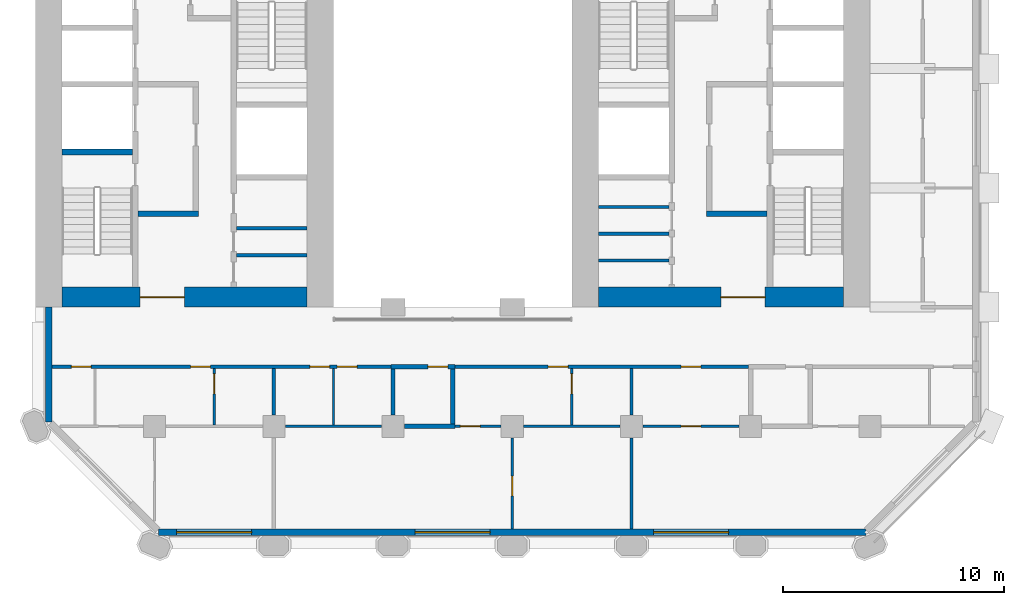
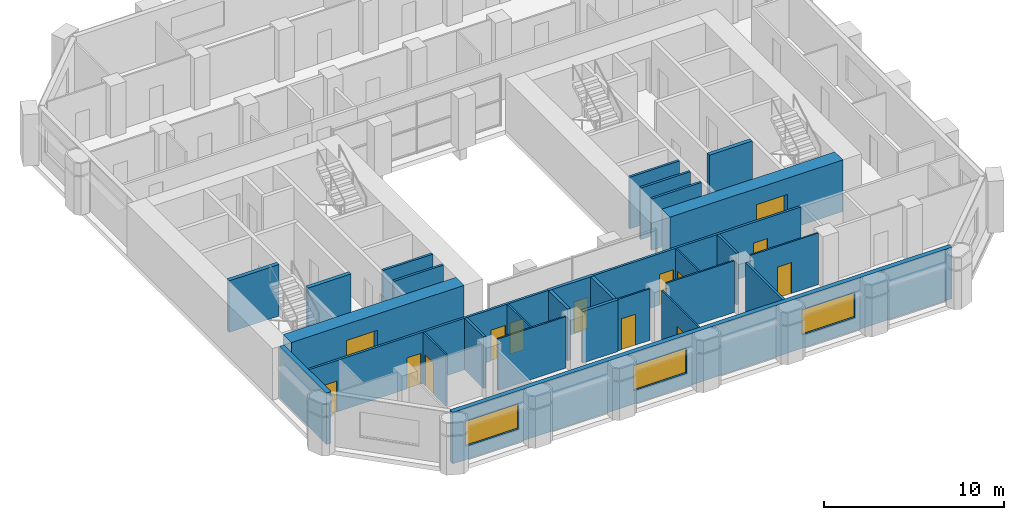
# One storey, part 4 of 11: 29 walls, 14 doors, 3 windows, 17 openings.
"""IFC4 building model written with IfcOpenShell, lengths in metres."""

import ifcopenshell
import ifcopenshell.guid

model = None  # the IFC model being written
_history = None  # IfcOwnerHistory: only IFC2X3 demands one
_inside = {}  # id of a spatial element -> (the spatial element, [elements in it])
_under = {}  # id of a project, library or spatial element -> (it, [spatial elements below it])
_declared = {}  # id of a project -> (the project, [libraries it declares])
_typed = {}  # id of a type object -> (the type object, [elements of that type])
_made_of = {}  # id of a material, layer set ... -> (it, [elements and type objects made of it])


def new_model(schema):
    """Start an empty IFC model of exactly this schema.

    Asked for "IFC4X3", IfcOpenShell would pick the latest addendum, in which some entities
    have other attributes; the version numbers below select the first issue.
    IFC2X3 requires an IfcOwnerHistory on every rooted entity: one is made here for all.
    """
    global model, _history
    if schema == "IFC4X3":
        model = ifcopenshell.file(schema_version=(4, 3, 0, 0))
    else:
        model = ifcopenshell.file(schema=schema)
    _inside.clear()
    _under.clear()
    _declared.clear()
    _typed.clear()
    _made_of.clear()
    _history = None
    if model.schema == "IFC2X3":
        org = make("IfcOrganization", Name="unknown")
        user = make(
            "IfcPersonAndOrganization",
            ThePerson=make("IfcPerson", FamilyName="unknown"),
            TheOrganization=org,
        )
        app = make(
            "IfcApplication",
            ApplicationDeveloper=org,
            Version="unknown",
            ApplicationFullName="unknown",
            ApplicationIdentifier="unknown",
        )
        _history = make(
            "IfcOwnerHistory",
            OwningUser=user,
            OwningApplication=app,
            ChangeAction="ADDED",
            CreationDate=0,
        )
    return model


def make(cls, **values):
    """One entity of the class cls with the attributes given. An attribute that is None is left unset."""
    return model.create_entity(
        cls, **{name: value for name, value in values.items() if value is not None}
    )


def rooted(cls, **values):
    """An entity with a GlobalId (a new one), such as an element, a storey or a relation."""
    return make(cls, GlobalId=ifcopenshell.guid.new(), OwnerHistory=_history, **values)


def si_unit(unit_type, name, prefix=None):
    """IfcSIUnit, for example si_unit("LENGTHUNIT", "METRE", prefix="MILLI")."""
    return make("IfcSIUnit", UnitType=unit_type, Prefix=prefix, Name=name)


def assignment(units):
    """IfcUnitAssignment: the units of a project."""
    return None if units is None else make("IfcUnitAssignment", Units=units)


def point(xyz):
    """IfcCartesianPoint."""
    return None if xyz is None else make("IfcCartesianPoint", Coordinates=xyz)


def direction(xyz):
    """IfcDirection."""
    return None if xyz is None else make("IfcDirection", DirectionRatios=xyz)


def frame(location, z_axis=None, x_axis=None):
    """IfcAxis2Placement3D, a coordinate frame: its origin and axes. An axis left out is left unset."""
    return make(
        "IfcAxis2Placement3D",
        Location=point(location),
        Axis=direction(z_axis),
        RefDirection=direction(x_axis),
    )


def frame_2d(location, x_axis=None):
    """IfcAxis2Placement2D, a coordinate frame in the plane: its origin and x axis."""
    return make(
        "IfcAxis2Placement2D", Location=point(location), RefDirection=direction(x_axis)
    )


def origin():
    """The frame at (0, 0, 0) with its axes left unset."""
    return frame((0.0, 0.0, 0.0))


def place(relative_to, where):
    """IfcLocalPlacement: puts the frame where relative to a parent placement (None: the world)."""
    return make(
        "IfcLocalPlacement", PlacementRelTo=relative_to, RelativePlacement=where
    )


def context(
    kind, dimensions, precision=None, world=None, true_north=None, identifier=None
):
    """IfcGeometricRepresentationContext, for example the 3D "Model" context."""
    return make(
        "IfcGeometricRepresentationContext",
        ContextIdentifier=identifier,
        ContextType=kind,
        CoordinateSpaceDimension=dimensions,
        Precision=precision,
        WorldCoordinateSystem=world,
        TrueNorth=true_north,
    )


def subcontext(parent, identifier, kind, view, scale=None):
    """IfcGeometricRepresentationSubContext, for example "Body" below "Model"."""
    return make(
        "IfcGeometricRepresentationSubContext",
        ContextIdentifier=identifier,
        ContextType=kind,
        ParentContext=parent,
        TargetScale=scale,
        TargetView=view,
    )


def project(units=None, contexts=None):
    """IfcProject with its units and contexts."""
    return rooted(
        "IfcProject",
        Name="project",
        RepresentationContexts=contexts,
        UnitsInContext=assignment(units),
    )


def spatial(cls, under=None, at=None, **own):
    """A site, building, storey or space (cls), placed at a placement, below another one or the project."""
    s = rooted(cls, ObjectPlacement=at, **own)
    if under is not None:
        _under.setdefault(under.id(), (under, []))[1].append(s)
    return s


def profile(cls, at=None, kind="AREA", **sizes):
    """A parametric profile (cls). Its sizes go by their IFC names, for example OverallWidth=200.0."""
    return make(cls, ProfileType=kind, Position=at, **sizes)


def rectangle(**sizes):
    """IfcRectangleProfileDef."""
    return profile("IfcRectangleProfileDef", **sizes)


def extrude(swept, where, along, depth):
    """IfcExtrudedAreaSolid: the profile swept, set in the frame where, extruded along a direction by depth."""
    return make(
        "IfcExtrudedAreaSolid",
        SweptArea=swept,
        Position=where,
        ExtrudedDirection=direction(along),
        Depth=depth,
    )


def shape(context_of_items, identifier, shape_type, items):
    """IfcShapeRepresentation: the items that make up one representation, for example the "Body"."""
    return make(
        "IfcShapeRepresentation",
        ContextOfItems=context_of_items,
        RepresentationIdentifier=identifier,
        RepresentationType=shape_type,
        Items=items,
    )


def material(Name=None, Category=None):
    """IfcMaterial."""
    return make("IfcMaterial", Name=Name, Category=Category)


def layer(
    of_material, thickness, ventilated=None, Name=None, Category=None, Priority=None
):
    """IfcMaterialLayer: one layer of a wall or slab, of a material (None: an air gap)."""
    return make(
        "IfcMaterialLayer",
        Material=of_material,
        LayerThickness=thickness,
        IsVentilated=ventilated,
        Name=Name,
        Category=Category,
        Priority=Priority,
    )


def layer_set(layers, Name=None):
    """IfcMaterialLayerSet."""
    return make("IfcMaterialLayerSet", MaterialLayers=layers, LayerSetName=Name)


def made_of(thing, what):
    """Note that an element or type object is made of a material, layer set ...; save() writes the relation."""
    if what is not None:
        _made_of.setdefault(what.id(), (what, []))[1].append(thing)
    return thing


def type_object(cls, material=None, **own):
    """A type object (cls), such as IfcWallType, which elements share."""
    return made_of(rooted(cls, **own), material)


def element(
    cls,
    number,
    at=None,
    inside=None,
    cuts=None,
    type_object=None,
    material=None,
    context=None,
    identifier="Body",
    shape_type=None,
    held_by="IfcProductDefinitionShape",
    body=None,
    shapes=None,
    **own,
):
    """One element of the class cls, such as IfcWall. Its Tag is "e" and its number.

    at: its placement. inside: the storey or other place that contains it. cuts: it is an
    opening in that element (IfcRelVoidsElement). A single representation is given by context,
    identifier, shape_type and body (its items); several are given by shapes. held_by: the class
    of the entity that holds the representations. save() writes the other relations.
    """
    e = rooted(cls, Tag="e%d" % number, ObjectPlacement=at, **own)
    if body is not None:
        shapes = [shape(context, identifier, shape_type, body)]
    if shapes is not None:
        e.Representation = make(held_by, Representations=shapes)
    if inside is not None:
        _inside.setdefault(inside.id(), (inside, []))[1].append(e)
    if cuts is not None:
        rooted(
            "IfcRelVoidsElement", RelatingBuildingElement=cuts, RelatedOpeningElement=e
        )
    if type_object is not None:
        _typed.setdefault(type_object.id(), (type_object, []))[1].append(e)
    return made_of(e, material)


def fill(opening, filler):
    """IfcRelFillsElement: the door or window that sits in an opening."""
    return rooted(
        "IfcRelFillsElement",
        RelatingOpeningElement=opening,
        RelatedBuildingElement=filler,
    )


def aggregate(whole, parts):
    """IfcRelAggregates: a whole, such as a stair, and the parts it consists of."""
    return rooted("IfcRelAggregates", RelatingObject=whole, RelatedObjects=parts)


def save(model, path):
    """Write the relations noted so far, then the file.

    IfcRelAggregates (storeys below a building ...), IfcRelContainedInSpatialStructure (elements
    in a storey), IfcRelDefinesByType, IfcRelAssociatesMaterial and IfcRelDeclares: one each for
    every whole, place, type object, material and project.
    """
    for whole, parts in _under.values():
        aggregate(whole, parts)
    for where, things in _inside.values():
        rooted(
            "IfcRelContainedInSpatialStructure",
            RelatedElements=things,
            RelatingStructure=where,
        )
    for kind, things in _typed.values():
        rooted("IfcRelDefinesByType", RelatedObjects=things, RelatingType=kind)
    for what, things in _made_of.values():
        rooted("IfcRelAssociatesMaterial", RelatedObjects=things, RelatingMaterial=what)
    for by, libraries in _declared.values():
        rooted("IfcRelDeclares", RelatingContext=by, RelatedDefinitions=libraries)
    model.write(path)


model = new_model("IFC4")

# Units and contexts
model_context = context("Model", 3, precision=1e-05, world=origin(), true_north=direction((0.0, 1.0)))
body_context = subcontext(model_context, "Body", "Model", "MODEL_VIEW")
ifc_project = project(units=[si_unit("LENGTHUNIT", "METRE"), si_unit("AREAUNIT", "SQUARE_METRE"), si_unit("VOLUMEUNIT", "CUBIC_METRE"), si_unit("PLANEANGLEUNIT", "RADIAN"), si_unit("MASSUNIT", "GRAM", prefix="KILO")], contexts=[model_context])

# Site, building, storey
site_placement = place(None, origin())
site = spatial("IfcSite", under=ifc_project, at=site_placement, CompositionType="ELEMENT")
building_placement = place(site_placement, origin())
building = spatial("IfcBuilding", under=site, at=building_placement, Name="Tabaq Tower and Sports Hall", CompositionType="ELEMENT")
storey_placement = place(building_placement, frame((0.0, 0.0, 72.60009765625)))
storey = spatial("IfcBuildingStorey", under=building, at=storey_placement, Name="L16", CompositionType="ELEMENT", Elevation=72.60009765625)

# Walls
ifc_material_1 = material(Name="Blockwork", Category="masonry")
ifc_layer_1 = layer(ifc_material_1, 0.14990234375)
ifc_layer_set_1 = layer_set([ifc_layer_1], Name="Core room partition 150 Blockwork")
wall_type_1 = type_object("IfcWallType", Name="Core room partition 150 Blockwork", PredefinedType="PARTITIONING", material=ifc_layer_set_1)
for number, where, z_axis, x_axis, name in (
    (1, (14.5, 18.554931640625, 0.0), (0.0, 0.0, 1.0), (1.0, 0.0, 0.0), "Core room partition W L16"),
    (2, (14.5, 19.76708984375, 0.0), (0.0, 0.0, 1.0), (1.0, 0.0, 0.0), "Core room partition W L16"),
):
    element("IfcWall", number, at=place(storey_placement, frame(where, z_axis=z_axis, x_axis=x_axis)), inside=storey, type_object=wall_type_1, Name=name, PredefinedType="PARTITIONING", context=body_context, shape_type="SweptSolid", body=[
        extrude(rectangle(XDim=3.199951171875, YDim=0.14990234375, at=frame_2d((1.60009765625, 0.0))), origin(), (0.0, 0.0, 1.0), 3.5),
    ])
for number, where, z_axis, x_axis, name in (
    (3, (30.89990234375, 18.31201171875, 0.0), (0.0, 0.0, 1.0), (1.0, 0.0, 0.0), "Core room partition E L16"),
    (4, (30.89990234375, 19.52490234375, 0.0), (0.0, 0.0, 1.0), (1.0, 0.0, 0.0), "Core room partition E L16"),
    (5, (30.89990234375, 20.737060546875, 0.0), (0.0, 0.0, 1.0), (1.0, 0.0, 0.0), "Core room partition E L16"),
):
    element("IfcWall", number, at=place(storey_placement, frame(where, z_axis=z_axis, x_axis=x_axis)), inside=storey, type_object=wall_type_1, Name=name, PredefinedType="PARTITIONING", context=body_context, shape_type="SweptSolid", body=[
        extrude(rectangle(XDim=3.2001953125, YDim=0.14990234375, at=frame_2d((1.60009765625, 0.0))), origin(), (0.0, 0.0, 1.0), 3.5),
    ])

# Wall, opening, door
ifc_material_2 = material(Name="Concrete C60/75", Category="concrete")
ifc_layer_2 = layer(ifc_material_2, 0.89990234375)
ifc_layer_set_2 = layer_set([ifc_layer_2], Name="Core wall 900 Concrete C60/75")
wall_type_2 = type_object("IfcWallType", Name="Core wall 900 Concrete C60/75", PredefinedType="SOLIDWALL", material=ifc_layer_set_2)
wall_1_placement = place(storey_placement, frame((17.699951171875, 16.64990234375, 0.0), z_axis=(0.0, 0.0, 1.0), x_axis=(-1.0, 0.0, 0.0)))
wall_1 = element("IfcWall", 6, at=wall_1_placement, inside=storey, type_object=wall_type_2, Name="Core wall W L16", PredefinedType="SOLIDWALL", context=body_context, shape_type="SweptSolid", body=[
    extrude(rectangle(XDim=11.099853515625, YDim=0.89990234375, at=frame_2d((5.5498046875, 0.0))), origin(), (0.0, 0.0, 1.0), 3.5),
])
opening_1_placement = place(wall_1_placement, frame((5.550048828125, 0.0, 0.0)))
opening_1 = element("IfcOpeningElement", 7, at=opening_1_placement, cuts=wall_1, Name="Opening PD-WL16-01", PredefinedType="OPENING", context=body_context, shape_type="SweptSolid", body=[
    extrude(rectangle(XDim=2.0, YDim=2.39990234375, at=frame_2d((1.0, 1.199951171875))), frame((0.0, 0.449951171875, 0.0), z_axis=(0.0, -1.0, 0.0), x_axis=(1.0, 0.0, 0.0)), (0.0, 0.0, 1.0), 0.89990234375),
])
ifc_material_3 = material(Name="Steel fire door", Category="steel")
door_type_1 = type_object("IfcDoorType", Name="Core entrance door 2000", OperationType="DOUBLE_DOOR_SINGLE_SWING", PredefinedType="DOOR", material=ifc_material_3)
door_1_placement = place(opening_1_placement, origin())
door_1 = element("IfcDoor", 8, at=door_1_placement, inside=storey, type_object=door_type_1, Name="Core entrance south W L16", OperationType="DOUBLE_DOOR_SINGLE_SWING", OverallHeight=2.39990234375, OverallWidth=2.0, PredefinedType="DOOR", context=body_context, shape_type="SweptSolid", body=[
    extrude(rectangle(XDim=2.0, YDim=2.39990234375, at=frame_2d((1.0, 1.199951171875))), frame((0.0, 0.02490234375, 0.0), z_axis=(0.0, -1.0, 0.0), x_axis=(1.0, 0.0, 0.0)), (0.0, 0.0, 1.0), 0.050048828125),
])
fill(opening_1, door_1)

wall_2_placement = place(storey_placement, frame((42.0, 16.64990234375, 0.0), z_axis=(0.0, 0.0, 1.0), x_axis=(-1.0, 0.0, 0.0)))
wall_2 = element("IfcWall", 9, at=wall_2_placement, inside=storey, type_object=wall_type_2, Name="Core wall E L16", PredefinedType="SOLIDWALL", context=body_context, shape_type="SweptSolid", body=[
    extrude(rectangle(XDim=11.10009765625, YDim=0.89990234375, at=frame_2d((5.550048828125, 0.0))), origin(), (0.0, 0.0, 1.0), 3.5),
])
opening_2_placement = place(wall_2_placement, frame((3.550048828125, 0.0, 0.0)))
opening_2 = element("IfcOpeningElement", 10, at=opening_2_placement, cuts=wall_2, Name="Opening PD-EL16-01", PredefinedType="OPENING", context=body_context, shape_type="SweptSolid", body=[
    extrude(rectangle(XDim=2.0, YDim=2.39990234375, at=frame_2d((1.0, 1.199951171875))), frame((0.0, 0.449951171875, 0.0), z_axis=(0.0, -1.0, 0.0), x_axis=(1.0, 0.0, 0.0)), (0.0, 0.0, 1.0), 0.89990234375),
])
door_2_placement = place(opening_2_placement, origin())
door_2 = element("IfcDoor", 11, at=door_2_placement, inside=storey, type_object=door_type_1, Name="Core entrance south E L16", OperationType="DOUBLE_DOOR_SINGLE_SWING", OverallHeight=2.39990234375, OverallWidth=2.0, PredefinedType="DOOR", context=body_context, shape_type="SweptSolid", body=[
    extrude(rectangle(XDim=2.0, YDim=2.39990234375, at=frame_2d((1.0, 1.199951171875))), frame((0.0, 0.02490234375, 0.0), z_axis=(0.0, -1.0, 0.0), x_axis=(1.0, 0.0, 0.0)), (0.0, 0.0, 1.0), 0.050048828125),
])
fill(opening_2, door_2)

ifc_material_4 = material(Name="Blockwork", Category="masonry")
ifc_layer_3 = layer(ifc_material_4, 0.199951171875)
ifc_layer_set_3 = layer_set([ifc_layer_3], Name="Fire compartment wall 200 Blockwork")
wall_type_3 = type_object("IfcWallType", Name="Fire compartment wall 200 Blockwork", PredefinedType="PARTITIONING", material=ifc_layer_set_3)
wall_3_placement = place(storey_placement, frame((21.5, 13.5, 0.0), z_axis=(0.0, 0.0, 1.0), x_axis=(1.0, 0.0, 0.0)))
wall_3 = element("IfcWall", 12, at=wall_3_placement, inside=storey, type_object=wall_type_3, Name="Compartment wall L16", PredefinedType="PARTITIONING", context=body_context, shape_type="SweptSolid", body=[
    extrude(rectangle(XDim=2.89990234375, YDim=0.199951171875, at=frame_2d((1.449951171875, 0.0))), origin(), (0.0, 0.0, 1.0), 3.5),
])
opening_3_placement = place(wall_3_placement, frame((1.679931640625, 0.0, 0.0)))
opening_3 = element("IfcOpeningElement", 13, at=opening_3_placement, cuts=wall_3, Name="Opening L16-007", PredefinedType="OPENING", context=body_context, shape_type="SweptSolid", body=[
    extrude(rectangle(XDim=0.89990234375, YDim=2.10009765625, at=frame_2d((0.449951171875, 1.050048828125))), frame((0.0, 0.10009765625, 0.0), z_axis=(0.0, -1.0, 0.0), x_axis=(1.0, 0.0, 0.0)), (0.0, 0.0, 1.0), 0.199951171875),
])
ifc_material_5 = material(Name="Steel fire door", Category="steel")
door_type_2 = type_object("IfcDoorType", Name="Plant room door 900 left hand", OperationType="SINGLE_SWING_LEFT", PredefinedType="DOOR", material=ifc_material_5)
door_3_placement = place(opening_3_placement, origin())
door_3 = element("IfcDoor", 14, at=door_3_placement, inside=storey, type_object=door_type_2, Name="Plant room door L16-007", OperationType="SINGLE_SWING_LEFT", OverallHeight=2.10009765625, OverallWidth=0.89990234375, PredefinedType="DOOR", context=body_context, shape_type="SweptSolid", body=[
    extrude(rectangle(XDim=0.89990234375, YDim=2.10009765625, at=frame_2d((0.449951171875, 1.050048828125))), frame((0.0, 0.02490234375, 0.0), z_axis=(0.0, -1.0, 0.0), x_axis=(1.0, 0.0, 0.0)), (0.0, 0.0, 1.0), 0.050048828125),
])
fill(opening_3, door_3)

# Walls
wall_4_placement = place(storey_placement, frame((21.60009765625, 11.320068359375, 0.0), z_axis=(0.0, 0.0, 1.0), x_axis=(0.0, 1.0, 0.0)))
element("IfcWall", 15, at=wall_4_placement, inside=storey, type_object=wall_type_3, Name="Compartment wall L16", PredefinedType="PARTITIONING", context=body_context, shape_type="SweptSolid", body=[
    extrude(rectangle(XDim=2.079833984375, YDim=0.199951171875, at=frame_2d((1.0400390625, 0.0))), origin(), (0.0, 0.0, 1.0), 3.5),
])
wall_5_placement = place(storey_placement, frame((22.1201171875, 10.800048828125, 0.0), z_axis=(0.0, 0.0, 1.0), x_axis=(1.0, 0.0, 0.0)))
element("IfcWall", 16, at=wall_5_placement, inside=storey, type_object=wall_type_3, Name="Compartment wall L16", PredefinedType="PARTITIONING", context=body_context, shape_type="SweptSolid", body=[
    extrude(rectangle(XDim=2.27978515625, YDim=0.199951171875, at=frame_2d((1.139892578125, 0.0))), origin(), (0.0, 0.0, 1.0), 3.5),
])
wall_6_placement = place(storey_placement, frame((24.300048828125, 10.89990234375, 0.0), z_axis=(0.0, 0.0, 1.0), x_axis=(0.0, 1.0, 0.0)))
element("IfcWall", 17, at=wall_6_placement, inside=storey, type_object=wall_type_3, Name="Compartment wall L16", PredefinedType="PARTITIONING", context=body_context, shape_type="SweptSolid", body=[
    extrude(rectangle(XDim=2.5, YDim=0.199951171875, at=frame_2d((1.25, 0.0))), origin(), (0.0, 0.0, 1.0), 3.5),
])

# Wall, opening, door
ifc_material_6 = material(Name="Gypsum board on steel studs", Category="steel")
ifc_layer_4 = layer(ifc_material_6, 0.10009765625)
ifc_layer_set_4 = layer_set([ifc_layer_4], Name="Partition 100 Gypsum board")
wall_type_4 = type_object("IfcWallType", Name="Partition 100 Gypsum board", PredefinedType="PARTITIONING", material=ifc_layer_set_4)
wall_7_placement = place(storey_placement, frame((13.5, 10.85009765625, 0.0), z_axis=(0.0, 0.0, 1.0), x_axis=(0.0, 1.0, 0.0)))
wall_7 = element("IfcWall", 18, at=wall_7_placement, inside=storey, type_object=wall_type_4, Name="Partition wall L16", PredefinedType="PARTITIONING", context=body_context, shape_type="SweptSolid", body=[
    extrude(rectangle(XDim=2.574951171875, YDim=0.10009765625, at=frame_2d((1.28759765625, 0.0))), origin(), (0.0, 0.0, 1.0), 3.5),
])
opening_4_placement = place(wall_7_placement, frame((1.425048828125, 0.0, 0.0)))
opening_4 = element("IfcOpeningElement", 19, at=opening_4_placement, cuts=wall_7, Name="Opening L16-023", PredefinedType="OPENING", context=body_context, shape_type="SweptSolid", body=[
    extrude(rectangle(XDim=0.89990234375, YDim=2.10009765625, at=frame_2d((0.449951171875, 1.050048828125))), frame((0.0, 0.050048828125, 0.0), z_axis=(0.0, -1.0, 0.0), x_axis=(1.0, 0.0, 0.0)), (0.0, 0.0, 1.0), 0.10009765625),
])
ifc_material_7 = material(Name="Timber leaf in steel frame", Category="steel")
door_type_3 = type_object("IfcDoorType", Name="Internal door 900 left hand", OperationType="SINGLE_SWING_LEFT", PredefinedType="DOOR", material=ifc_material_7)
door_4_placement = place(opening_4_placement, origin())
door_4 = element("IfcDoor", 20, at=door_4_placement, inside=storey, type_object=door_type_3, Name="Internal door L16-023", OperationType="SINGLE_SWING_LEFT", OverallHeight=2.10009765625, OverallWidth=0.89990234375, PredefinedType="DOOR", context=body_context, shape_type="SweptSolid", body=[
    extrude(rectangle(XDim=0.89990234375, YDim=2.10009765625, at=frame_2d((0.449951171875, 1.050048828125))), frame((0.0, 0.02490234375, 0.0), z_axis=(0.0, -1.0, 0.0), x_axis=(1.0, 0.0, 0.0)), (0.0, 0.0, 1.0), 0.050048828125),
])
fill(opening_4, door_4)

# Walls
wall_8_placement = place(storey_placement, frame((18.89990234375, 10.85009765625, 0.0), z_axis=(0.0, 0.0, 1.0), x_axis=(0.0, 1.0, 0.0)))
element("IfcWall", 21, at=wall_8_placement, inside=storey, type_object=wall_type_4, Name="Partition wall L16", PredefinedType="PARTITIONING", context=body_context, shape_type="SweptSolid", body=[
    extrude(rectangle(XDim=2.574951171875, YDim=0.10009765625, at=frame_2d((1.28759765625, 0.0))), origin(), (0.0, 0.0, 1.0), 3.5),
])
wall_9_placement = place(storey_placement, frame((16.719970703125, 10.800048828125, 0.0), z_axis=(0.0, 0.0, 1.0), x_axis=(1.0, 0.0, 0.0)))
element("IfcWall", 22, at=wall_9_placement, inside=storey, type_object=wall_type_4, Name="Partition wall L16", PredefinedType="PARTITIONING", context=body_context, shape_type="SweptSolid", body=[
    extrude(rectangle(XDim=4.360107421875, YDim=0.10009765625, at=frame_2d((2.18017578125, 0.0))), origin(), (0.0, 0.0, 1.0), 3.5),
])

# Wall, opening, door
wall_10_placement = place(storey_placement, frame((24.39990234375, 10.800048828125, 0.0), z_axis=(0.0, 0.0, 1.0), x_axis=(1.0, 0.0, 0.0)))
wall_10 = element("IfcWall", 23, at=wall_10_placement, inside=storey, type_object=wall_type_4, Name="Partition wall L16", PredefinedType="PARTITIONING", context=body_context, shape_type="SweptSolid", body=[
    extrude(rectangle(XDim=2.080078125, YDim=0.10009765625, at=frame_2d((1.0400390625, 0.0))), origin(), (0.0, 0.0, 1.0), 3.5),
])
opening_5_placement = place(wall_10_placement, frame((0.25, 0.0, 0.0)))
opening_5 = element("IfcOpeningElement", 24, at=opening_5_placement, cuts=wall_10, Name="Opening L16-032", PredefinedType="OPENING", context=body_context, shape_type="SweptSolid", body=[
    extrude(rectangle(XDim=0.89990234375, YDim=2.10009765625, at=frame_2d((0.449951171875, 1.050048828125))), frame((0.0, 0.050048828125, 0.0), z_axis=(0.0, -1.0, 0.0), x_axis=(1.0, 0.0, 0.0)), (0.0, 0.0, 1.0), 0.10009765625),
])
door_5_placement = place(opening_5_placement, origin())
door_5 = element("IfcDoor", 25, at=door_5_placement, inside=storey, type_object=door_type_3, Name="Internal door L16-032", OperationType="SINGLE_SWING_LEFT", OverallHeight=2.10009765625, OverallWidth=0.89990234375, PredefinedType="DOOR", context=body_context, shape_type="SweptSolid", body=[
    extrude(rectangle(XDim=0.89990234375, YDim=2.10009765625, at=frame_2d((0.449951171875, 1.050048828125))), frame((0.0, 0.02490234375, 0.0), z_axis=(0.0, -1.0, 0.0), x_axis=(1.0, 0.0, 0.0)), (0.0, 0.0, 1.0), 0.050048828125),
])
fill(opening_5, door_5)

wall_11_placement = place(storey_placement, frame((29.699951171875, 10.85009765625, 0.0), z_axis=(0.0, 0.0, 1.0), x_axis=(0.0, 1.0, 0.0)))
wall_11 = element("IfcWall", 26, at=wall_11_placement, inside=storey, type_object=wall_type_4, Name="Partition wall L16", PredefinedType="PARTITIONING", context=body_context, shape_type="SweptSolid", body=[
    extrude(rectangle(XDim=2.574951171875, YDim=0.10009765625, at=frame_2d((1.28759765625, 0.0))), origin(), (0.0, 0.0, 1.0), 3.5),
])
opening_6_placement = place(wall_11_placement, frame((1.425048828125, 0.0, 0.0)))
opening_6 = element("IfcOpeningElement", 27, at=opening_6_placement, cuts=wall_11, Name="Opening L16-025", PredefinedType="OPENING", context=body_context, shape_type="SweptSolid", body=[
    extrude(rectangle(XDim=0.89990234375, YDim=2.10009765625, at=frame_2d((0.449951171875, 1.050048828125))), frame((0.0, 0.050048828125, 0.0), z_axis=(0.0, -1.0, 0.0), x_axis=(1.0, 0.0, 0.0)), (0.0, 0.0, 1.0), 0.10009765625),
])
door_6_placement = place(opening_6_placement, origin())
door_6 = element("IfcDoor", 28, at=door_6_placement, inside=storey, type_object=door_type_3, Name="Internal door L16-025", OperationType="SINGLE_SWING_LEFT", OverallHeight=2.10009765625, OverallWidth=0.89990234375, PredefinedType="DOOR", context=body_context, shape_type="SweptSolid", body=[
    extrude(rectangle(XDim=0.89990234375, YDim=2.10009765625, at=frame_2d((0.449951171875, 1.050048828125))), frame((0.0, 0.02490234375, 0.0), z_axis=(0.0, -1.0, 0.0), x_axis=(1.0, 0.0, 0.0)), (0.0, 0.0, 1.0), 0.050048828125),
])
fill(opening_6, door_6)

# Wall
wall_12_placement = place(storey_placement, frame((27.52001953125, 10.800048828125, 0.0), z_axis=(0.0, 0.0, 1.0), x_axis=(1.0, 0.0, 0.0)))
element("IfcWall", 29, at=wall_12_placement, inside=storey, type_object=wall_type_4, Name="Partition wall L16", PredefinedType="PARTITIONING", context=body_context, shape_type="SweptSolid", body=[
    extrude(rectangle(XDim=4.35986328125, YDim=0.10009765625, at=frame_2d((2.179931640625, 0.0))), origin(), (0.0, 0.0, 1.0), 3.5),
])

# Wall, opening, door
wall_13_placement = place(storey_placement, frame((27.0, 6.15087890625, 0.0), z_axis=(0.0, 0.0, 1.0), x_axis=(0.0, 1.0, 0.0)))
wall_13 = element("IfcWall", 30, at=wall_13_placement, inside=storey, type_object=wall_type_4, Name="Partition wall L16", PredefinedType="PARTITIONING", context=body_context, shape_type="SweptSolid", body=[
    extrude(rectangle(XDim=4.129150390625, YDim=0.10009765625, at=frame_2d((2.064453125, 0.0))), origin(), (0.0, 0.0, 1.0), 3.5),
])
opening_7_placement = place(wall_13_placement, frame((1.4990234375, 0.0, 0.0)))
opening_7 = element("IfcOpeningElement", 31, at=opening_7_placement, cuts=wall_13, Name="Opening L16-026", PredefinedType="OPENING", context=body_context, shape_type="SweptSolid", body=[
    extrude(rectangle(XDim=0.89990234375, YDim=2.10009765625, at=frame_2d((0.449951171875, 1.050048828125))), frame((0.0, 0.050048828125, 0.0), z_axis=(0.0, -1.0, 0.0), x_axis=(1.0, 0.0, 0.0)), (0.0, 0.0, 1.0), 0.10009765625),
])
door_7_placement = place(opening_7_placement, origin())
door_7 = element("IfcDoor", 32, at=door_7_placement, inside=storey, type_object=door_type_3, Name="Internal door L16-026", OperationType="SINGLE_SWING_LEFT", OverallHeight=2.10009765625, OverallWidth=0.89990234375, PredefinedType="DOOR", context=body_context, shape_type="SweptSolid", body=[
    extrude(rectangle(XDim=0.89990234375, YDim=2.10009765625, at=frame_2d((0.449951171875, 1.050048828125))), frame((0.0, 0.02490234375, 0.0), z_axis=(0.0, -1.0, 0.0), x_axis=(1.0, 0.0, 0.0)), (0.0, 0.0, 1.0), 0.050048828125),
])
fill(opening_7, door_7)

wall_14_placement = place(storey_placement, frame((32.919921875, 10.800048828125, 0.0), z_axis=(0.0, 0.0, 1.0), x_axis=(1.0, 0.0, 0.0)))
wall_14 = element("IfcWall", 33, at=wall_14_placement, inside=storey, type_object=wall_type_4, Name="Partition wall L16", PredefinedType="PARTITIONING", context=body_context, shape_type="SweptSolid", body=[
    extrude(rectangle(XDim=4.360107421875, YDim=0.10009765625, at=frame_2d((2.18017578125, 0.0))), origin(), (0.0, 0.0, 1.0), 3.5),
])
opening_8_placement = place(wall_14_placement, frame((1.72998046875, 0.0, 0.0)))
opening_8 = element("IfcOpeningElement", 34, at=opening_8_placement, cuts=wall_14, Name="Opening L16-033", PredefinedType="OPENING", context=body_context, shape_type="SweptSolid", body=[
    extrude(rectangle(XDim=0.89990234375, YDim=2.10009765625, at=frame_2d((0.449951171875, 1.050048828125))), frame((0.0, 0.050048828125, 0.0), z_axis=(0.0, -1.0, 0.0), x_axis=(1.0, 0.0, 0.0)), (0.0, 0.0, 1.0), 0.10009765625),
])
ifc_material_8 = material(Name="Timber leaf in steel frame", Category="steel")
door_type_4 = type_object("IfcDoorType", Name="Internal door 900 right hand", OperationType="SINGLE_SWING_RIGHT", PredefinedType="DOOR", material=ifc_material_8)
door_8_placement = place(opening_8_placement, origin())
door_8 = element("IfcDoor", 35, at=door_8_placement, inside=storey, type_object=door_type_4, Name="Internal door L16-033", OperationType="SINGLE_SWING_RIGHT", OverallHeight=2.10009765625, OverallWidth=0.89990234375, PredefinedType="DOOR", context=body_context, shape_type="SweptSolid", body=[
    extrude(rectangle(XDim=0.89990234375, YDim=2.10009765625, at=frame_2d((0.449951171875, 1.050048828125))), frame((0.0, 0.02490234375, 0.0), z_axis=(0.0, -1.0, 0.0), x_axis=(1.0, 0.0, 0.0)), (0.0, 0.0, 1.0), 0.050048828125),
])
fill(opening_8, door_8)

# Wall, openings, doors
ifc_material_9 = material(Name="Blockwork", Category="masonry")
ifc_layer_5 = layer(ifc_material_9, 0.14990234375)
ifc_layer_set_5 = layer_set([ifc_layer_5], Name="Separating wall 150 Blockwork")
wall_type_5 = type_object("IfcWallType", Name="Separating wall 150 Blockwork", PredefinedType="PARTITIONING", material=ifc_layer_set_5)
wall_15_placement = place(storey_placement, frame((6.15087890625, 13.5, 0.0), z_axis=(0.0, 0.0, 1.0), x_axis=(1.0, 0.0, 0.0)))
wall_15 = element("IfcWall", 36, at=wall_15_placement, inside=storey, type_object=wall_type_5, Name="Separating wall L16", PredefinedType="PARTITIONING", context=body_context, shape_type="SweptSolid", body=[
    extrude(rectangle(XDim=15.34912109375, YDim=0.14990234375, at=frame_2d((7.674560546875, 0.0))), origin(), (0.0, 0.0, 1.0), 3.5),
])
opening_9_placement = place(wall_15_placement, frame((0.87890625, 0.0, 0.0)))
opening_9 = element("IfcOpeningElement", 37, at=opening_9_placement, cuts=wall_15, Name="Opening L16-004", PredefinedType="OPENING", context=body_context, shape_type="SweptSolid", body=[
    extrude(rectangle(XDim=0.89990234375, YDim=2.10009765625, at=frame_2d((0.449951171875, 1.050048828125))), frame((0.0, 0.074951171875, 0.0), z_axis=(0.0, -1.0, 0.0), x_axis=(1.0, 0.0, 0.0)), (0.0, 0.0, 1.0), 0.14990234375),
])
opening_10_placement = place(wall_15_placement, frame((11.678955078125, 0.0, 0.0)))
opening_10 = element("IfcOpeningElement", 38, at=opening_10_placement, cuts=wall_15, Name="Opening L16-005", PredefinedType="OPENING", context=body_context, shape_type="SweptSolid", body=[
    extrude(rectangle(XDim=0.89990234375, YDim=2.10009765625, at=frame_2d((0.449951171875, 1.050048828125))), frame((0.0, 0.074951171875, 0.0), z_axis=(0.0, -1.0, 0.0), x_axis=(1.0, 0.0, 0.0)), (0.0, 0.0, 1.0), 0.14990234375),
])
opening_11_placement = place(wall_15_placement, frame((12.9189453125, 0.0, 0.0)))
opening_11 = element("IfcOpeningElement", 39, at=opening_11_placement, cuts=wall_15, Name="Opening L16-006", PredefinedType="OPENING", context=body_context, shape_type="SweptSolid", body=[
    extrude(rectangle(XDim=0.89990234375, YDim=2.10009765625, at=frame_2d((0.449951171875, 1.050048828125))), frame((0.0, 0.074951171875, 0.0), z_axis=(0.0, -1.0, 0.0), x_axis=(1.0, 0.0, 0.0)), (0.0, 0.0, 1.0), 0.14990234375),
])
opening_12_placement = place(wall_15_placement, frame((6.279052734375, 0.0, 0.0)))
opening_12 = element("IfcOpeningElement", 40, at=opening_12_placement, cuts=wall_15, Name="Opening L16-034", PredefinedType="OPENING", context=body_context, shape_type="SweptSolid", body=[
    extrude(rectangle(XDim=0.89990234375, YDim=2.10009765625, at=frame_2d((0.449951171875, 1.050048828125))), frame((0.0, 0.074951171875, 0.0), z_axis=(0.0, -1.0, 0.0), x_axis=(1.0, 0.0, 0.0)), (0.0, 0.0, 1.0), 0.14990234375),
])
ifc_material_10 = material(Name="Steel fire door", Category="steel")
door_type_5 = type_object("IfcDoorType", Name="Entrance door 900 left hand", OperationType="SINGLE_SWING_LEFT", PredefinedType="DOOR", material=ifc_material_10)
door_9_placement = place(opening_9_placement, origin())
door_9 = element("IfcDoor", 41, at=door_9_placement, inside=storey, type_object=door_type_5, Name="Entrance door L16-004", OperationType="SINGLE_SWING_LEFT", OverallHeight=2.10009765625, OverallWidth=0.89990234375, PredefinedType="DOOR", context=body_context, shape_type="SweptSolid", body=[
    extrude(rectangle(XDim=0.89990234375, YDim=2.10009765625, at=frame_2d((0.449951171875, 1.050048828125))), frame((0.0, 0.02490234375, 0.0), z_axis=(0.0, -1.0, 0.0), x_axis=(1.0, 0.0, 0.0)), (0.0, 0.0, 1.0), 0.050048828125),
])
fill(opening_9, door_9)
door_10_placement = place(opening_10_placement, origin())
door_10 = element("IfcDoor", 42, at=door_10_placement, inside=storey, type_object=door_type_5, Name="Entrance door L16-005", OperationType="SINGLE_SWING_LEFT", OverallHeight=2.10009765625, OverallWidth=0.89990234375, PredefinedType="DOOR", context=body_context, shape_type="SweptSolid", body=[
    extrude(rectangle(XDim=0.89990234375, YDim=2.10009765625, at=frame_2d((0.449951171875, 1.050048828125))), frame((0.0, 0.02490234375, 0.0), z_axis=(0.0, -1.0, 0.0), x_axis=(1.0, 0.0, 0.0)), (0.0, 0.0, 1.0), 0.050048828125),
])
fill(opening_10, door_10)
door_11_placement = place(opening_11_placement, origin())
door_11 = element("IfcDoor", 43, at=door_11_placement, inside=storey, type_object=door_type_5, Name="Entrance door L16-006", OperationType="SINGLE_SWING_LEFT", OverallHeight=2.10009765625, OverallWidth=0.89990234375, PredefinedType="DOOR", context=body_context, shape_type="SweptSolid", body=[
    extrude(rectangle(XDim=0.89990234375, YDim=2.10009765625, at=frame_2d((0.449951171875, 1.050048828125))), frame((0.0, 0.02490234375, 0.0), z_axis=(0.0, -1.0, 0.0), x_axis=(1.0, 0.0, 0.0)), (0.0, 0.0, 1.0), 0.050048828125),
])
fill(opening_11, door_11)
door_12_placement = place(opening_12_placement, origin())
door_12 = element("IfcDoor", 44, at=door_12_placement, inside=storey, type_object=door_type_5, Name="Entrance door L16-034", OperationType="SINGLE_SWING_LEFT", OverallHeight=2.10009765625, OverallWidth=0.89990234375, PredefinedType="DOOR", context=body_context, shape_type="SweptSolid", body=[
    extrude(rectangle(XDim=0.89990234375, YDim=2.10009765625, at=frame_2d((0.449951171875, 1.050048828125))), frame((0.0, 0.02490234375, 0.0), z_axis=(0.0, -1.0, 0.0), x_axis=(1.0, 0.0, 0.0)), (0.0, 0.0, 1.0), 0.050048828125),
])
fill(opening_12, door_12)

wall_16_placement = place(storey_placement, frame((24.39990234375, 13.5, 0.0), z_axis=(0.0, 0.0, 1.0), x_axis=(1.0, 0.0, 0.0)))
wall_16 = element("IfcWall", 45, at=wall_16_placement, inside=storey, type_object=wall_type_5, Name="Separating wall L16", PredefinedType="PARTITIONING", context=body_context, shape_type="SweptSolid", body=[
    extrude(rectangle(XDim=13.300048828125, YDim=0.14990234375, at=frame_2d((6.64990234375, 0.0))), origin(), (0.0, 0.0, 1.0), 3.5),
])
opening_13_placement = place(wall_16_placement, frame((10.25, 0.0, 0.0)))
opening_13 = element("IfcOpeningElement", 46, at=opening_13_placement, cuts=wall_16, Name="Opening L16-029", PredefinedType="OPENING", context=body_context, shape_type="SweptSolid", body=[
    extrude(rectangle(XDim=0.89990234375, YDim=2.10009765625, at=frame_2d((0.449951171875, 1.050048828125))), frame((0.0, 0.074951171875, 0.0), z_axis=(0.0, -1.0, 0.0), x_axis=(1.0, 0.0, 0.0)), (0.0, 0.0, 1.0), 0.14990234375),
])
opening_14_placement = place(wall_16_placement, frame((4.22998046875, 0.0, 0.0)))
opening_14 = element("IfcOpeningElement", 47, at=opening_14_placement, cuts=wall_16, Name="Opening L16-035", PredefinedType="OPENING", context=body_context, shape_type="SweptSolid", body=[
    extrude(rectangle(XDim=0.89990234375, YDim=2.10009765625, at=frame_2d((0.449951171875, 1.050048828125))), frame((0.0, 0.074951171875, 0.0), z_axis=(0.0, -1.0, 0.0), x_axis=(1.0, 0.0, 0.0)), (0.0, 0.0, 1.0), 0.14990234375),
])
door_13_placement = place(opening_13_placement, origin())
door_13 = element("IfcDoor", 48, at=door_13_placement, inside=storey, type_object=door_type_5, Name="Entrance door L16-029", OperationType="SINGLE_SWING_LEFT", OverallHeight=2.10009765625, OverallWidth=0.89990234375, PredefinedType="DOOR", context=body_context, shape_type="SweptSolid", body=[
    extrude(rectangle(XDim=0.89990234375, YDim=2.10009765625, at=frame_2d((0.449951171875, 1.050048828125))), frame((0.0, 0.02490234375, 0.0), z_axis=(0.0, -1.0, 0.0), x_axis=(1.0, 0.0, 0.0)), (0.0, 0.0, 1.0), 0.050048828125),
])
fill(opening_13, door_13)
door_14_placement = place(opening_14_placement, origin())
door_14 = element("IfcDoor", 49, at=door_14_placement, inside=storey, type_object=door_type_5, Name="Entrance door L16-035", OperationType="SINGLE_SWING_LEFT", OverallHeight=2.10009765625, OverallWidth=0.89990234375, PredefinedType="DOOR", context=body_context, shape_type="SweptSolid", body=[
    extrude(rectangle(XDim=0.89990234375, YDim=2.10009765625, at=frame_2d((0.449951171875, 1.050048828125))), frame((0.0, 0.02490234375, 0.0), z_axis=(0.0, -1.0, 0.0), x_axis=(1.0, 0.0, 0.0)), (0.0, 0.0, 1.0), 0.050048828125),
])
fill(opening_14, door_14)

# Walls
for number, where, z_axis, x_axis, name in (
    (50, (16.199951171875, 11.320068359375, 0.0), (0.0, 0.0, 1.0), (0.0, 1.0, 0.0), "Separating wall L16"),
    (51, (32.39990234375, 11.320068359375, 0.0), (0.0, 0.0, 1.0), (0.0, 1.0, 0.0), "Separating wall L16"),
):
    element("IfcWall", number, at=place(storey_placement, frame(where, z_axis=z_axis, x_axis=x_axis)), inside=storey, type_object=wall_type_5, Name=name, PredefinedType="PARTITIONING", context=body_context, shape_type="SweptSolid", body=[
        extrude(rectangle(XDim=2.10498046875, YDim=0.14990234375, at=frame_2d((1.052490234375, 0.0))), origin(), (0.0, 0.0, 1.0), 3.5),
    ])
wall_17_placement = place(storey_placement, frame((32.39990234375, 6.15087890625, 0.0), z_axis=(0.0, 0.0, 1.0), x_axis=(0.0, 1.0, 0.0)))
element("IfcWall", 52, at=wall_17_placement, inside=storey, type_object=wall_type_5, Name="Separating wall L16", PredefinedType="PARTITIONING", context=body_context, shape_type="SweptSolid", body=[
    extrude(rectangle(XDim=4.129150390625, YDim=0.14990234375, at=frame_2d((2.064453125, 0.0))), origin(), (0.0, 0.0, 1.0), 3.5),
])
ifc_material_11 = material(Name="Concrete C40/50", Category="concrete")
ifc_layer_6 = layer(ifc_material_11, 0.25)
ifc_layer_set_6 = layer_set([ifc_layer_6], Name="Shaft and stair wall 250 Concrete C40/50")
wall_type_6 = type_object("IfcWallType", Name="Shaft and stair wall 250 Concrete C40/50", PredefinedType="SOLIDWALL", material=ifc_layer_set_6)
wall_18_placement = place(storey_placement, frame((6.60009765625, 23.22509765625, 0.0), z_axis=(0.0, 0.0, 1.0), x_axis=(1.0, 0.0, 0.0)))
element("IfcWall", 53, at=wall_18_placement, inside=storey, type_object=wall_type_6, Name="Stair enclosure wall W L16", PredefinedType="SOLIDWALL", context=body_context, shape_type="SweptSolid", body=[
    extrude(rectangle(XDim=3.199951171875, YDim=0.25, at=frame_2d((1.60009765625, 0.0))), origin(), (0.0, 0.0, 1.0), 3.5),
])
for number, where, z_axis, x_axis, name in (
    (54, (10.050048828125, 20.425048828125, 0.0), (0.0, 0.0, 1.0), (1.0, 0.0, 0.0), "Fire-fighting lobby wall W L16"),
    (55, (35.800048828125, 20.425048828125, 0.0), (0.0, 0.0, 1.0), (1.0, 0.0, 0.0), "Fire-fighting lobby wall E L16"),
):
    element("IfcWall", number, at=place(storey_placement, frame(where, z_axis=z_axis, x_axis=x_axis)), inside=storey, type_object=wall_type_6, Name=name, PredefinedType="SOLIDWALL", context=body_context, shape_type="SweptSolid", body=[
        extrude(rectangle(XDim=2.75, YDim=0.25, at=frame_2d((1.375, 0.0))), origin(), (0.0, 0.0, 1.0), 3.5),
    ])

# Wall, openings, windows
ifc_material_12 = material(Name="White precast concrete C60/75", Category="concrete")
ifc_layer_7 = layer(ifc_material_12, 0.300048828125)
ifc_layer_set_7 = layer_set([ifc_layer_7], Name="White precast concrete C60/75 external wall 300")
wall_type_7 = type_object("IfcWallType", Name="White precast concrete C60/75 external wall 300", PredefinedType="SOLIDWALL", material=ifc_layer_set_7)
wall_19_placement = place(storey_placement, frame((10.986328125, 6.0, 0.0), z_axis=(0.0, 0.0, 1.0), x_axis=(1.0, 0.0, 0.0)))
wall_19 = element("IfcWall", 56, at=wall_19_placement, inside=storey, type_object=wall_type_7, Name="External Wall L16 S", PredefinedType="SOLIDWALL", context=body_context, shape_type="SweptSolid", body=[
    extrude(rectangle(XDim=32.02734375, YDim=0.300048828125, at=frame_2d((16.013671875, 0.0))), origin(), (0.0, 0.0, 1.0), 3.5),
])
opening_15_placement = place(wall_19_placement, frame((0.813720703125, 0.0, 0.89990234375)))
opening_15 = element("IfcOpeningElement", 57, at=opening_15_placement, cuts=wall_19, Name="Opening W1A", PredefinedType="OPENING", context=body_context, shape_type="SweptSolid", body=[
    extrude(rectangle(XDim=3.39990234375, YDim=1.699951171875, at=frame_2d((1.699951171875, 0.85009765625))), frame((0.0, 0.16015625, 0.0), z_axis=(0.0, -1.0, 0.0), x_axis=(1.0, 0.0, 0.0)), (0.0, 0.0, 1.0), 0.320068359375),
])
opening_16_placement = place(wall_19_placement, frame((11.613525390625, 0.0, 0.89990234375)))
opening_16 = element("IfcOpeningElement", 58, at=opening_16_placement, cuts=wall_19, Name="Opening W1A", PredefinedType="OPENING", context=body_context, shape_type="SweptSolid", body=[
    extrude(rectangle(XDim=3.39990234375, YDim=1.699951171875, at=frame_2d((1.699951171875, 0.85009765625))), frame((0.0, 0.16015625, 0.0), z_axis=(0.0, -1.0, 0.0), x_axis=(1.0, 0.0, 0.0)), (0.0, 0.0, 1.0), 0.320068359375),
])
opening_17_placement = place(wall_19_placement, frame((22.41357421875, 0.0, 0.89990234375)))
opening_17 = element("IfcOpeningElement", 59, at=opening_17_placement, cuts=wall_19, Name="Opening W1A", PredefinedType="OPENING", context=body_context, shape_type="SweptSolid", body=[
    extrude(rectangle(XDim=3.39990234375, YDim=1.699951171875, at=frame_2d((1.699951171875, 0.85009765625))), frame((0.0, 0.16015625, 0.0), z_axis=(0.0, -1.0, 0.0), x_axis=(1.0, 0.0, 0.0)), (0.0, 0.0, 1.0), 0.320068359375),
])
ifc_material_13 = material(Name="Aluminium framed clear glazing", Category="aluminium")
window_type = type_object("IfcWindowType", Name="Window W1A", PartitioningType="SINGLE_PANEL", PredefinedType="WINDOW", material=ifc_material_13)
window_1_placement = place(opening_15_placement, origin())
window_1 = element("IfcWindow", 60, at=window_1_placement, inside=storey, type_object=window_type, Name="Window W1A L16", OverallHeight=1.699951171875, OverallWidth=3.39990234375, PartitioningType="SINGLE_PANEL", PredefinedType="WINDOW", context=body_context, shape_type="SweptSolid", body=[
    extrude(rectangle(XDim=3.39990234375, YDim=1.699951171875, at=frame_2d((1.699951171875, 0.85009765625))), frame((0.0, 0.030029296875, 0.0), z_axis=(0.0, -1.0, 0.0), x_axis=(1.0, 0.0, 0.0)), (0.0, 0.0, 1.0), 0.06005859375),
])
fill(opening_15, window_1)
window_2_placement = place(opening_16_placement, origin())
window_2 = element("IfcWindow", 61, at=window_2_placement, inside=storey, type_object=window_type, Name="Window W1A L16", OverallHeight=1.699951171875, OverallWidth=3.39990234375, PartitioningType="SINGLE_PANEL", PredefinedType="WINDOW", context=body_context, shape_type="SweptSolid", body=[
    extrude(rectangle(XDim=3.39990234375, YDim=1.699951171875, at=frame_2d((1.699951171875, 0.85009765625))), frame((0.0, 0.030029296875, 0.0), z_axis=(0.0, -1.0, 0.0), x_axis=(1.0, 0.0, 0.0)), (0.0, 0.0, 1.0), 0.06005859375),
])
fill(opening_16, window_2)
window_3_placement = place(opening_17_placement, origin())
window_3 = element("IfcWindow", 62, at=window_3_placement, inside=storey, type_object=window_type, Name="Window W1A L16", OverallHeight=1.699951171875, OverallWidth=3.39990234375, PartitioningType="SINGLE_PANEL", PredefinedType="WINDOW", context=body_context, shape_type="SweptSolid", body=[
    extrude(rectangle(XDim=3.39990234375, YDim=1.699951171875, at=frame_2d((1.699951171875, 0.85009765625))), frame((0.0, 0.030029296875, 0.0), z_axis=(0.0, -1.0, 0.0), x_axis=(1.0, 0.0, 0.0)), (0.0, 0.0, 1.0), 0.06005859375),
])
fill(opening_17, window_3)

# Wall
wall_20_placement = place(storey_placement, frame((6.0, 16.199951171875, 0.0), z_axis=(0.0, 0.0, 1.0), x_axis=(0.0, -1.0, 0.0)))
element("IfcWall", 63, at=wall_20_placement, inside=storey, type_object=wall_type_7, Name="External Wall L16 W", PredefinedType="SOLIDWALL", context=body_context, shape_type="SweptSolid", body=[
    extrude(rectangle(XDim=5.213623046875, YDim=0.300048828125, at=frame_2d((2.60693359375, 0.0))), origin(), (0.0, 0.0, 1.0), 3.5),
])

save(model, "model.ifc")
